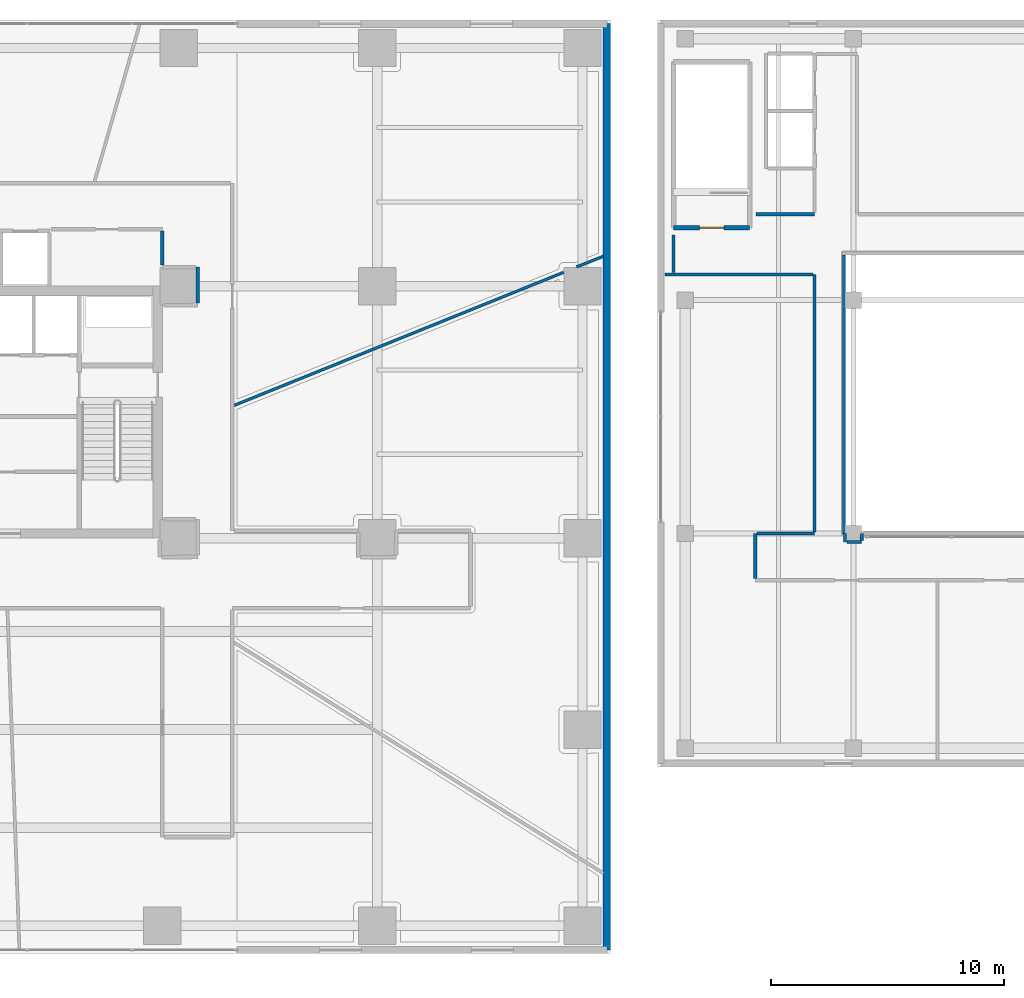
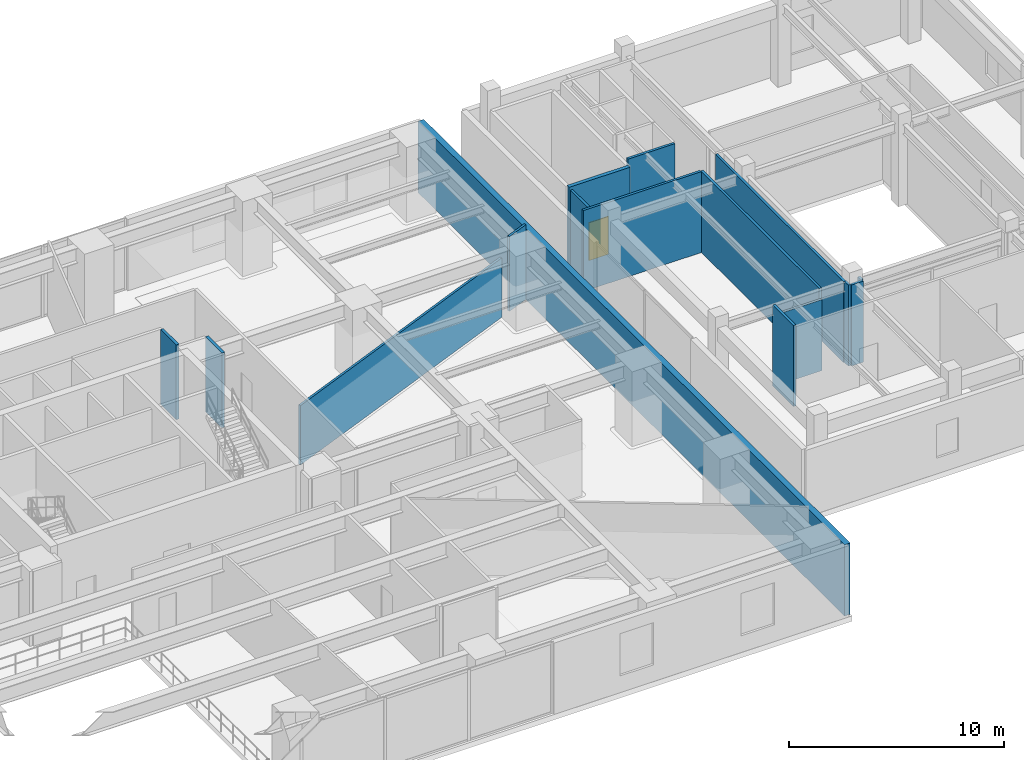
# One storey, part 19 of 25: 16 walls, 1 door, 1 opening.
"""IFC4 building model written with IfcOpenShell, lengths in metres."""

from ifc_helpers import new_model, si_unit, direction, frame, frame_2d, origin, place, context, subcontext, project, spatial, rectangle, extrude, source, transform, mapped, material, layer, layer_set, type_object, type_shapes, element, fill, save


model = new_model("IFC4")

# Units and contexts
model_context = context("Model", 3, precision=1e-05, world=origin(), true_north=direction((0.0, 1.0)))
body_context = subcontext(model_context, "Body", "Model", "MODEL_VIEW")
ifc_project = project(units=[si_unit("LENGTHUNIT", "METRE"), si_unit("AREAUNIT", "SQUARE_METRE"), si_unit("VOLUMEUNIT", "CUBIC_METRE"), si_unit("PLANEANGLEUNIT", "RADIAN"), si_unit("MASSUNIT", "GRAM", prefix="KILO")], contexts=[model_context])

# Site, building, storey
site_placement = place(None, origin())
site = spatial("IfcSite", under=ifc_project, at=site_placement, CompositionType="ELEMENT")
building_placement = place(site_placement, origin())
building = spatial("IfcBuilding", under=site, at=building_placement, Name="Talar Marvaseh", CompositionType="ELEMENT")
storey_placement = place(building_placement, frame((0.0, 0.0, 14.39990234375)))
storey = spatial("IfcBuildingStorey", under=building, at=storey_placement, Name="L03", CompositionType="ELEMENT", Elevation=14.39990234375)

# Walls
ifc_material_1 = material(Name="Precast concrete C45/55", Category="concrete")
ifc_layer_1 = layer(ifc_material_1, 0.31005859375)
ifc_layer_set_1 = layer_set([ifc_layer_1], Name="Precast concrete C45/55")
wall_type_1 = type_object("IfcWallType", Name="Architectural Precast Limestone Podium Facade Wall 310", PredefinedType="SOLIDWALL", material=ifc_layer_set_1)
wall_1_placement = place(storey_placement, frame((51.840087890625, 47.840087890625, 0.0), z_axis=(0.0, 0.0, 1.0), x_axis=(0.0, -1.0, 0.0)))
element("IfcWall", 1, at=wall_1_placement, inside=storey, type_object=wall_type_1, Name="L03 Podium East Facade Wall", PredefinedType="SOLIDWALL", context=body_context, shape_type="SweptSolid", body=[
    extrude(rectangle(XDim=39.68017578125, YDim=0.31005859375, at=frame_2d((19.840087890625, 0.0))), origin(), (0.0, 0.0, 1.0), 4.050048828125),
])
ifc_material_2 = material(Name="Gypsum Board Partition Assembly")
ifc_layer_2 = layer(ifc_material_2, 0.155029296875)
ifc_layer_set_2 = layer_set([ifc_layer_2], Name="Gypsum Board Partition Assembly")
wall_type_2 = type_object("IfcWallType", Name="Corridor Fire-Rated Acoustic Partition 155", PredefinedType="PARTITIONING", material=ifc_layer_set_2)
wall_2_placement = place(storey_placement, frame((34.310791015625, 35.872802734375, 0.0), z_axis=(0.0, 0.0, 1.0), x_axis=(0.000476644369, 0.999999886405, 0.0)))
element("IfcWall", 2, at=wall_2_placement, inside=storey, type_object=wall_type_2, Name="L03 Interior Partition Wall", PredefinedType="PARTITIONING", context=body_context, shape_type="SweptSolid", body=[
    extrude(rectangle(XDim=1.53662109375, YDim=0.155029296875, at=frame_2d((0.768310546875, 0.0))), origin(), (0.0, 0.0, 1.0), 4.25),
])
wall_3_placement = place(storey_placement, frame((32.800048828125, 37.49853515625, 0.0), z_axis=(0.0, 0.0, 1.0), x_axis=(0.0, 1.0, 0.0)))
element("IfcWall", 3, at=wall_3_placement, inside=storey, type_object=wall_type_2, Name="L03 Interior Partition Wall", PredefinedType="PARTITIONING", context=body_context, shape_type="SweptSolid", body=[
    extrude(rectangle(XDim=1.4580078125, YDim=0.155029296875, at=frame_2d((0.72900390625, 0.0))), origin(), (0.0, 0.0, 1.0), 4.25),
])
ifc_layer_3 = layer(ifc_material_2, 0.1201171875)
ifc_layer_set_3 = layer_set([ifc_layer_3], Name="Gypsum Board Partition Assembly")
wall_type_3 = type_object("IfcWallType", Name="Demountable Studio Room Partition 120", PredefinedType="PARTITIONING", material=ifc_layer_set_3)
wall_4_placement = place(storey_placement, frame((35.883544921875, 31.49365234375, 0.0), z_axis=(0.0, 0.0, 1.0), x_axis=(0.927254266792, 0.374432269865, 0.0)))
element("IfcWall", 4, at=wall_4_placement, inside=storey, type_object=wall_type_3, Name="L03 Interior Partition Wall", PredefinedType="PARTITIONING", context=body_context, shape_type="SweptSolid", body=[
    extrude(rectangle(XDim=15.213134765625, YDim=0.1201171875, at=frame_2d((7.6064453125, 0.0))), origin(), (0.0, 0.0, 1.0), 3.3701171875),
])
wall_5_placement = place(storey_placement, frame((50.5400390625, 37.419921875, 0.0), z_axis=(0.0, 0.0, 1.0), x_axis=(0.928476690885, 0.371390676354, 0.0)))
element("IfcWall", 5, at=wall_5_placement, inside=storey, type_object=wall_type_3, Name="L03 Interior Partition Wall", PredefinedType="PARTITIONING", context=body_context, shape_type="SweptSolid", body=[
    extrude(rectangle(XDim=1.238525390625, YDim=0.1201171875, at=frame_2d((0.619140625, 0.0))), origin(), (0.0, 0.0, 1.0), 4.25),
])
ifc_layer_4 = layer(ifc_material_2, 0.135009765625)
ifc_layer_set_4 = layer_set([ifc_layer_4], Name="Gypsum Board Partition Assembly")
wall_type_4 = type_object("IfcWallType", Name="Gallery High-Acoustic Partition 135", PredefinedType="PARTITIONING", material=ifc_layer_set_4)
wall_6_placement = place(storey_placement, frame((58.219970703125, 39.679931640625, 0.0), z_axis=(0.0, 0.0, 1.0), x_axis=(1.0, 0.0, 0.0)))
element("IfcWall", 6, at=wall_6_placement, inside=storey, type_object=wall_type_4, Name="L03 Interior Partition Wall", PredefinedType="PARTITIONING", context=body_context, shape_type="SweptSolid", body=[
    extrude(rectangle(XDim=2.52001953125, YDim=0.135009765625, at=frame_2d((1.260009765625, 0.0))), origin(), (0.0, 0.0, 1.0), 4.60009765625),
])
wall_7_placement = place(storey_placement, frame((58.199951171875, 24.073486328125, 0.0), z_axis=(0.0, 0.0, 1.0), x_axis=(0.0, 1.0, 0.0)))
element("IfcWall", 7, at=wall_7_placement, inside=storey, type_object=wall_type_4, Name="L03 Interior Partition Wall", PredefinedType="PARTITIONING", context=body_context, shape_type="SweptSolid", body=[
    extrude(rectangle(XDim=1.926513671875, YDim=0.135009765625, at=frame_2d((0.96337890625, 0.0))), origin(), (0.0, 0.0, 1.0), 4.60009765625),
])
wall_8_placement = place(storey_placement, frame((58.2734375, 26.0, 0.0), z_axis=(0.0, 0.0, 1.0), x_axis=(1.0, 0.0, 0.0)))
element("IfcWall", 8, at=wall_8_placement, inside=storey, type_object=wall_type_4, Name="L03 Interior Partition Wall", PredefinedType="PARTITIONING", context=body_context, shape_type="SweptSolid", body=[
    extrude(rectangle(XDim=2.466552734375, YDim=0.135009765625, at=frame_2d((1.2333984375, 0.0))), origin(), (0.0, 0.0, 1.0), 4.031005859375),
])
wall_9_placement = place(storey_placement, frame((60.739990234375, 26.073486328125, 0.0), z_axis=(0.0, 0.0, 1.0), x_axis=(0.0, 1.0, 0.0)))
element("IfcWall", 9, at=wall_9_placement, inside=storey, type_object=wall_type_4, Name="L03 Interior Partition Wall", PredefinedType="PARTITIONING", context=body_context, shape_type="SweptSolid", body=[
    extrude(rectangle(XDim=11.026611328125, YDim=0.135009765625, at=frame_2d((5.51318359375, 0.0))), origin(), (0.0, 0.0, 1.0), 4.60009765625),
])
wall_10_placement = place(storey_placement, frame((60.66650390625, 37.10009765625, 0.0), z_axis=(0.0, 0.0, 1.0), x_axis=(-1.0, 0.0, 0.0)))
element("IfcWall", 10, at=wall_10_placement, inside=storey, type_object=wall_type_4, Name="L03 Interior Partition Wall", PredefinedType="PARTITIONING", context=body_context, shape_type="SweptSolid", body=[
    extrude(rectangle(XDim=6.33642578125, YDim=0.135009765625, at=frame_2d((3.168212890625, 0.0))), origin(), (0.0, 0.0, 1.0), 4.60009765625),
])
wall_11_placement = place(storey_placement, frame((54.699951171875, 37.173583984375, 0.0), z_axis=(0.0, 0.0, 1.0), x_axis=(0.0, 1.0, 0.0)))
element("IfcWall", 11, at=wall_11_placement, inside=storey, type_object=wall_type_4, Name="L03 Interior Partition Wall", PredefinedType="PARTITIONING", context=body_context, shape_type="SweptSolid", body=[
    extrude(rectangle(XDim=1.6064453125, YDim=0.135009765625, at=frame_2d((0.80322265625, 0.0))), origin(), (0.0, 0.0, 1.0), 4.60009765625),
])
wall_12_placement = place(storey_placement, frame((62.034912109375, 26.0, 0.0), z_axis=(0.0, 0.0, 1.0), x_axis=(0.041435954546, -0.999141162034, 0.0)))
element("IfcWall", 12, at=wall_12_placement, inside=storey, type_object=wall_type_4, Name="L03 Interior Partition Wall", PredefinedType="PARTITIONING", context=body_context, shape_type="SweptSolid", body=[
    extrude(rectangle(XDim=0.365234375, YDim=0.135009765625, at=frame_2d((0.1826171875, 0.0))), origin(), (0.0, 0.0, 1.0), 4.60009765625),
])
wall_13_placement = place(storey_placement, frame((62.12353515625, 25.63525390625, 0.0), z_axis=(0.0, 0.0, 1.0), x_axis=(0.999997327018, 0.002312132548, 0.0)))
element("IfcWall", 13, at=wall_13_placement, inside=storey, type_object=wall_type_4, Name="L03 Interior Partition Wall", PredefinedType="PARTITIONING", context=body_context, shape_type="SweptSolid", body=[
    extrude(rectangle(XDim=0.633544921875, YDim=0.135009765625, at=frame_2d((0.31689453125, 0.0))), origin(), (0.0, 0.0, 1.0), 4.60009765625),
])
wall_14_placement = place(storey_placement, frame((62.7587890625, 25.710205078125, 0.0), z_axis=(0.0, 0.0, 1.0), x_axis=(0.021056829831, 0.999778280379, 0.0)))
element("IfcWall", 14, at=wall_14_placement, inside=storey, type_object=wall_type_4, Name="L03 Interior Partition Wall", PredefinedType="PARTITIONING", context=body_context, shape_type="SweptSolid", body=[
    extrude(rectangle(XDim=0.289794921875, YDim=0.135009765625, at=frame_2d((0.14501953125, 0.0))), origin(), (0.0, 0.0, 1.0), 4.60009765625),
])
wall_15_placement = place(storey_placement, frame((62.0, 37.926513671875, 0.0), z_axis=(0.0, 0.0, 1.0), x_axis=(0.0, -1.0, 0.0)))
element("IfcWall", 15, at=wall_15_placement, inside=storey, type_object=wall_type_4, Name="L03 Interior Partition Wall", PredefinedType="PARTITIONING", context=body_context, shape_type="SweptSolid", body=[
    extrude(rectangle(XDim=11.926513671875, YDim=0.135009765625, at=frame_2d((5.96337890625, 0.0))), origin(), (0.0, 0.0, 1.0), 4.60009765625),
])

# Wall, opening, door
ifc_material_3 = material(Name="Concrete C50/60", Category="concrete")
ifc_layer_5 = layer(ifc_material_3, 0.199951171875)
ifc_layer_set_5 = layer_set([ifc_layer_5], Name="Concrete C50/60")
wall_type_5 = type_object("IfcWallType", Name="Stair Shaft Structural Concrete Shear Wall 200", PredefinedType="SHEAR", material=ifc_layer_set_5)
wall_16_placement = place(storey_placement, frame((57.9599609375, 39.10009765625, 0.0), z_axis=(0.0, 0.0, 1.0), x_axis=(-1.0, 0.0, 0.0)))
wall_16 = element("IfcWall", 16, at=wall_16_placement, inside=storey, type_object=wall_type_5, Name="L03 MH-ST1 South Shear Wall", PredefinedType="SHEAR", context=body_context, shape_type="SweptSolid", body=[
    extrude(rectangle(XDim=3.260009765625, YDim=0.199951171875, at=frame_2d((1.6298828125, 0.0))), origin(), (0.0, 0.0, 1.0), 4.60009765625),
])
opening_placement = place(wall_16_placement, frame((1.10009765625, 0.0, 0.0)))
opening = element("IfcOpeningElement", 17, at=opening_placement, cuts=wall_16, Name="Opening DR-ST105", PredefinedType="OPENING", context=body_context, shape_type="SweptSolid", body=[
    extrude(rectangle(XDim=1.050048828125, YDim=2.14990234375, at=frame_2d((0.52490234375, 1.074951171875))), frame((0.0, 0.10986328125, 0.0), z_axis=(0.0, -1.0, 0.0), x_axis=(1.0, 0.0, 0.0)), (0.0, 0.0, 1.0), 0.219970703125),
])
ifc_material_4 = material(Name="Fire-Rated Steel Door Leaf", Category="steel")
door_type = type_object("IfcDoorType", Name="Protected Exit Stair Fire Door 1050x2150", OperationType="NOTDEFINED", PredefinedType="DOOR", material=ifc_material_4)
shared_shape = source(origin(), body_context, "Body", "SweptSolid", [
    extrude(rectangle(XDim=1.050048828125, YDim=2.14990234375, at=frame_2d((0.52490234375, 1.074951171875))), frame((0.0, 0.02490234375, 0.0), z_axis=(0.0, -1.0, 0.0), x_axis=(1.0, 0.0, 0.0)), (0.0, 0.0, 1.0), 0.050048828125),
])
type_shapes(door_type, [shared_shape])
door_placement = place(opening_placement, origin())
door = element("IfcDoor", 18, at=door_placement, inside=storey, type_object=door_type, Name="L03 MH-ST1 Exit Door", OperationType="SINGLE_SWING_LEFT", OverallHeight=2.14990234375, OverallWidth=1.050048828125, PredefinedType="DOOR", context=body_context, shape_type="MappedRepresentation", body=[
    mapped(shared_shape, transform((0.0, 0.0, 0.0), x_axis=(1.0, 0.0, 0.0), y_axis=(0.0, 1.0, 0.0), z_axis=(0.0, 0.0, 1.0), scale=1.0)),
])
fill(opening, door)

save(model, "model.ifc")
